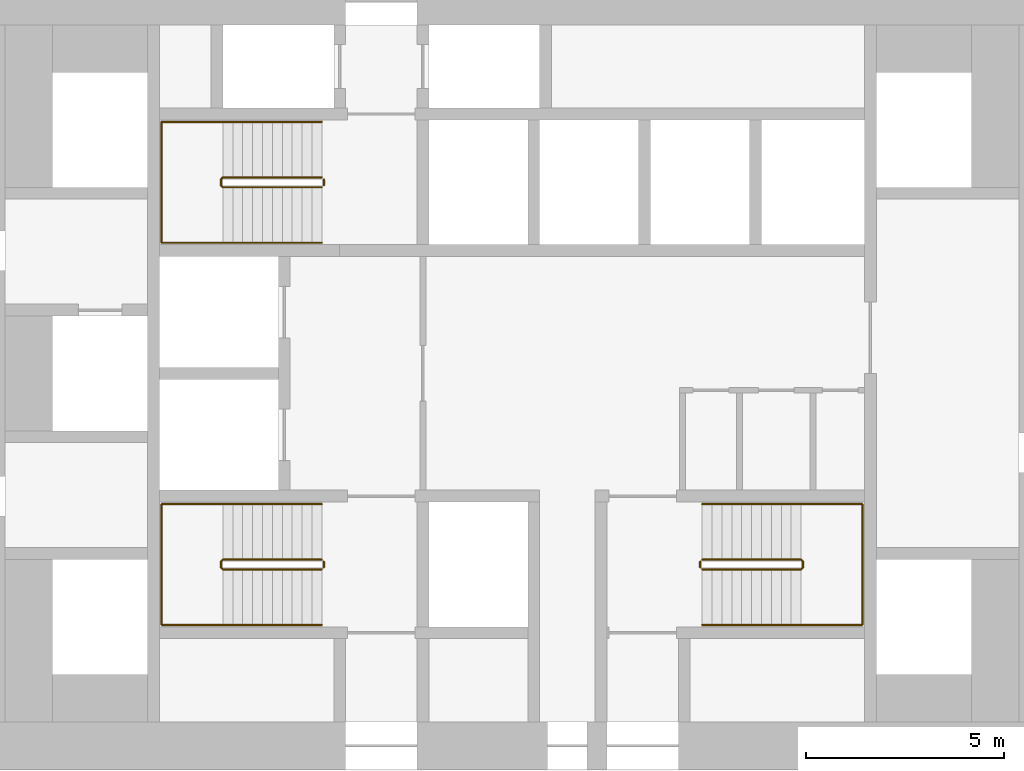
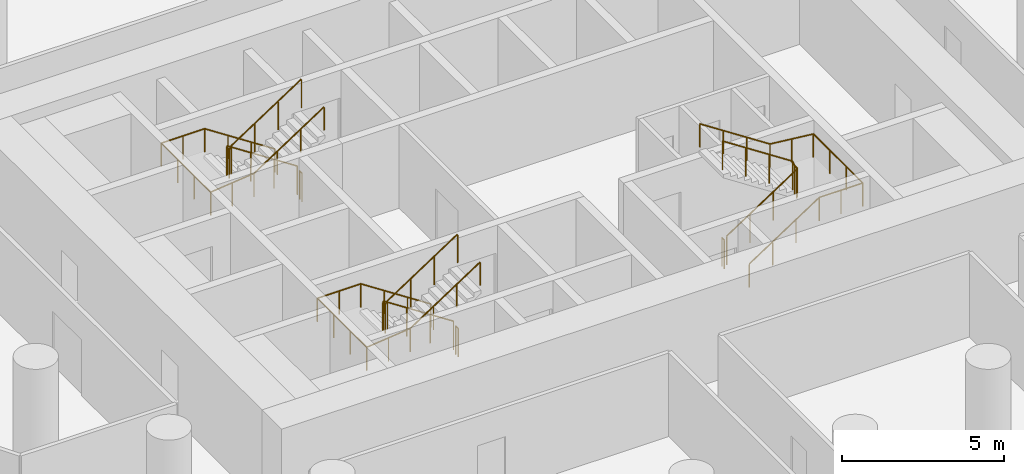
# One storey, part 12 of 12: 9 railings.
"""IFC4 building model written with IfcOpenShell, lengths in metres."""

from ifc_helpers import new_model, si_unit, direction, frame, origin, origin_2d, place, context, subcontext, project, spatial, circle, extrude, material, type_object, element, save


model = new_model("IFC4")

# Units and contexts
model_context = context("Model", 3, precision=1e-05, world=origin(), true_north=direction((0.0, 1.0)))
body_context = subcontext(model_context, "Body", "Model", "MODEL_VIEW")
ifc_project = project(units=[si_unit("LENGTHUNIT", "METRE"), si_unit("AREAUNIT", "SQUARE_METRE"), si_unit("VOLUMEUNIT", "CUBIC_METRE"), si_unit("PLANEANGLEUNIT", "RADIAN"), si_unit("MASSUNIT", "GRAM", prefix="KILO")], contexts=[model_context])

# Site, building, storey
site_placement = place(None, origin())
site = spatial("IfcSite", under=ifc_project, at=site_placement, CompositionType="ELEMENT")
building_placement = place(site_placement, origin())
building = spatial("IfcBuilding", under=site, at=building_placement, Name="Tracery Tower", CompositionType="ELEMENT")
storey_placement = place(building_placement, frame((0.0, 0.0, 107.39990234375)))
storey = spatial("IfcBuildingStorey", under=building, at=storey_placement, Name="L27", CompositionType="ELEMENT", Elevation=107.39990234375)

# Railings
ifc_material_1 = material(Name="Stainless steel and laminated glass", Category="steel")
railing_type_1 = type_object("IfcRailingType", Name="Stair guard 1100", PredefinedType="GUARDRAIL", material=ifc_material_1)
railing_1_placement = place(storey_placement, frame((-4.800048828125, -4.699951171875, 0.163818359375)))
element("IfcRailing", 1, at=railing_1_placement, inside=storey, type_object=railing_type_1, Name="L27 stair ST1 guard 1", PredefinedType="GUARDRAIL", context=body_context, shape_type="SweptSolid", body=[
    extrude(circle(Radius=0.02392578125, at=origin_2d()), frame((0.0, 0.0, 1.076171875), z_axis=(-0.836721939367, 0.0, 0.547627972425), x_axis=(0.0, -1.0, 0.0)), (0.0, 0.0, 1.0), 2.98779296875),
    extrude(circle(Radius=0.02392578125, at=origin_2d()), frame((-2.5, 0.0, 2.71240234375), z_axis=(-0.707106781187, -0.707106781187, 0.0), x_axis=(0.707106781187, -0.707106781187, 0.0)), (0.0, 0.0, 1.0), 0.07080078125),
    extrude(circle(Radius=0.02392578125, at=origin_2d()), frame((-2.550048828125, -0.050048828125, 2.71240234375), z_axis=(0.0, -1.0, 0.0), x_axis=(1.0, 0.0, 0.0)), (0.0, 0.0, 1.0), 0.14990234375),
    extrude(circle(Radius=0.02392578125, at=origin_2d()), frame((-2.550048828125, -0.199951171875, 2.71240234375), z_axis=(0.280808744504, -0.280808744504, 0.917765164963), x_axis=(0.707106781187, 0.707106781187, 0.0)), (0.0, 0.0, 1.0), 0.17822265625),
    extrude(circle(Radius=0.02392578125, at=origin_2d()), frame((-2.5, -0.25, 2.8759765625), z_axis=(0.83668449804, 0.0, 0.54768517484), x_axis=(0.0, 1.0, 0.0)), (0.0, 0.0, 1.0), 2.988037109375),
    extrude(circle(Radius=0.02099609375, at=origin_2d()), origin(), (0.0, 0.0, 1.0), 1.052001953125),
    extrude(circle(Radius=0.02099609375, at=origin_2d()), frame((-0.833251953125, 0.0, 0.54541015625)), (0.0, 0.0, 1.0), 1.052001953125),
    extrude(circle(Radius=0.02099609375, at=origin_2d()), frame((-1.666748046875, 0.0, 1.0908203125)), (0.0, 0.0, 1.0), 1.052001953125),
    extrude(circle(Radius=0.02099609375, at=origin_2d()), frame((-2.5, 0.0, 1.63623046875)), (0.0, 0.0, 1.0), 1.052001953125),
    extrude(circle(Radius=0.02099609375, at=origin_2d()), frame((-2.550048828125, -0.050048828125, 1.63623046875)), (0.0, 0.0, 1.0), 1.052001953125),
    extrude(circle(Radius=0.02099609375, at=origin_2d()), frame((-2.550048828125, -0.199951171875, 1.63623046875)), (0.0, 0.0, 1.0), 1.052001953125),
    extrude(circle(Radius=0.02099609375, at=origin_2d()), frame((-2.5, -0.25, 1.7998046875)), (0.0, 0.0, 1.0), 1.052001953125),
    extrude(circle(Radius=0.02099609375, at=origin_2d()), frame((-1.666748046875, -0.25, 2.34521484375)), (0.0, 0.0, 1.0), 1.052001953125),
    extrude(circle(Radius=0.02099609375, at=origin_2d()), frame((-0.833251953125, -0.25, 2.890869140625)), (0.0, 0.0, 1.0), 1.052001953125),
    extrude(circle(Radius=0.02099609375, at=origin_2d()), frame((0.0, -0.25, 3.436279296875)), (0.0, 0.0, 1.0), 1.052001953125),
])
railing_2_placement = place(storey_placement, frame((-4.75, -4.75, 0.0)))
element("IfcRailing", 2, at=railing_2_placement, inside=storey, type_object=railing_type_1, Name="L27 stair ST1 guard 2", PredefinedType="GUARDRAIL", context=body_context, shape_type="SweptSolid", body=[
    extrude(circle(Radius=0.02392578125, at=origin_2d()), frame((0.0, 0.0, 1.076171875), z_axis=(0.0, -1.0, 0.0), x_axis=(1.0, 0.0, 0.0)), (0.0, 0.0, 1.0), 0.14990234375),
    extrude(circle(Radius=0.02099609375, at=origin_2d()), origin(), (0.0, 0.0, 1.0), 1.052001953125),
    extrude(circle(Radius=0.02099609375, at=origin_2d()), frame((0.0, -0.14990234375, 0.0)), (0.0, 0.0, 1.0), 1.052001953125),
])
railing_3_placement = place(storey_placement, frame((-4.800048828125, 4.949951171875, 0.163818359375)))
element("IfcRailing", 3, at=railing_3_placement, inside=storey, type_object=railing_type_1, Name="L27 stair ST3 guard 1", PredefinedType="GUARDRAIL", context=body_context, shape_type="SweptSolid", body=[
    extrude(circle(Radius=0.02392578125, at=origin_2d()), frame((0.0, 0.0, 1.076171875), z_axis=(-0.836721939367, 0.0, 0.547627972425), x_axis=(0.0, -1.0, 0.0)), (0.0, 0.0, 1.0), 2.98779296875),
    extrude(circle(Radius=0.02392578125, at=origin_2d()), frame((-2.5, 0.0, 2.71240234375), z_axis=(-0.707106781187, -0.707106781187, 0.0), x_axis=(0.707106781187, -0.707106781187, 0.0)), (0.0, 0.0, 1.0), 0.07080078125),
    extrude(circle(Radius=0.02392578125, at=origin_2d()), frame((-2.550048828125, -0.050048828125, 2.71240234375), z_axis=(0.0, -1.0, 0.0), x_axis=(1.0, 0.0, 0.0)), (0.0, 0.0, 1.0), 0.14990234375),
    extrude(circle(Radius=0.02392578125, at=origin_2d()), frame((-2.550048828125, -0.199951171875, 2.71240234375), z_axis=(0.280808744504, -0.280808744504, 0.917765164963), x_axis=(0.707106781187, 0.707106781187, 0.0)), (0.0, 0.0, 1.0), 0.17822265625),
    extrude(circle(Radius=0.02392578125, at=origin_2d()), frame((-2.5, -0.25, 2.8759765625), z_axis=(0.83668449804, 0.0, 0.54768517484), x_axis=(0.0, 1.0, 0.0)), (0.0, 0.0, 1.0), 2.988037109375),
    extrude(circle(Radius=0.02099609375, at=origin_2d()), origin(), (0.0, 0.0, 1.0), 1.052001953125),
    extrude(circle(Radius=0.02099609375, at=origin_2d()), frame((-0.833251953125, 0.0, 0.54541015625)), (0.0, 0.0, 1.0), 1.052001953125),
    extrude(circle(Radius=0.02099609375, at=origin_2d()), frame((-1.666748046875, 0.0, 1.0908203125)), (0.0, 0.0, 1.0), 1.052001953125),
    extrude(circle(Radius=0.02099609375, at=origin_2d()), frame((-2.5, 0.0, 1.63623046875)), (0.0, 0.0, 1.0), 1.052001953125),
    extrude(circle(Radius=0.02099609375, at=origin_2d()), frame((-2.550048828125, -0.050048828125, 1.63623046875)), (0.0, 0.0, 1.0), 1.052001953125),
    extrude(circle(Radius=0.02099609375, at=origin_2d()), frame((-2.550048828125, -0.199951171875, 1.63623046875)), (0.0, 0.0, 1.0), 1.052001953125),
    extrude(circle(Radius=0.02099609375, at=origin_2d()), frame((-2.5, -0.25, 1.7998046875)), (0.0, 0.0, 1.0), 1.052001953125),
    extrude(circle(Radius=0.02099609375, at=origin_2d()), frame((-1.666748046875, -0.25, 2.34521484375)), (0.0, 0.0, 1.0), 1.052001953125),
    extrude(circle(Radius=0.02099609375, at=origin_2d()), frame((-0.833251953125, -0.25, 2.890869140625)), (0.0, 0.0, 1.0), 1.052001953125),
    extrude(circle(Radius=0.02099609375, at=origin_2d()), frame((0.0, -0.25, 3.436279296875)), (0.0, 0.0, 1.0), 1.052001953125),
])
railing_4_placement = place(storey_placement, frame((-4.75, 4.89990234375, 0.0)))
element("IfcRailing", 4, at=railing_4_placement, inside=storey, type_object=railing_type_1, Name="L27 stair ST3 guard 2", PredefinedType="GUARDRAIL", context=body_context, shape_type="SweptSolid", body=[
    extrude(circle(Radius=0.02392578125, at=origin_2d()), frame((0.0, 0.0, 1.076171875), z_axis=(0.0, -1.0, 0.0), x_axis=(1.0, 0.0, 0.0)), (0.0, 0.0, 1.0), 0.14990234375),
    extrude(circle(Radius=0.02099609375, at=origin_2d()), origin(), (0.0, 0.0, 1.0), 1.052001953125),
    extrude(circle(Radius=0.02099609375, at=origin_2d()), frame((0.0, -0.14990234375, 0.0)), (0.0, 0.0, 1.0), 1.052001953125),
])
railing_5_placement = place(storey_placement, frame((4.800048828125, -4.949951171875, 0.163818359375)))
element("IfcRailing", 5, at=railing_5_placement, inside=storey, type_object=railing_type_1, Name="L27 stair ST2 guard 1", PredefinedType="GUARDRAIL", context=body_context, shape_type="SweptSolid", body=[
    extrude(circle(Radius=0.02392578125, at=origin_2d()), frame((0.0, 0.0, 1.076171875), z_axis=(0.836721939367, 0.0, 0.547627972425), x_axis=(0.0, 1.0, 0.0)), (0.0, 0.0, 1.0), 2.98779296875),
    extrude(circle(Radius=0.02392578125, at=origin_2d()), frame((2.5, 0.0, 2.71240234375), z_axis=(0.707106781187, 0.707106781187, 0.0), x_axis=(-0.707106781187, 0.707106781187, 0.0)), (0.0, 0.0, 1.0), 0.07080078125),
    extrude(circle(Radius=0.02392578125, at=origin_2d()), frame((2.550048828125, 0.050048828125, 2.71240234375), z_axis=(0.0, 1.0, 0.0), x_axis=(-1.0, 0.0, 0.0)), (0.0, 0.0, 1.0), 0.14990234375),
    extrude(circle(Radius=0.02392578125, at=origin_2d()), frame((2.550048828125, 0.199951171875, 2.71240234375), z_axis=(-0.280808744504, 0.280808744504, 0.917765164963), x_axis=(-0.707106781187, -0.707106781187, 0.0)), (0.0, 0.0, 1.0), 0.17822265625),
    extrude(circle(Radius=0.02392578125, at=origin_2d()), frame((2.5, 0.25, 2.8759765625), z_axis=(-0.83668449804, 0.0, 0.54768517484), x_axis=(0.0, -1.0, 0.0)), (0.0, 0.0, 1.0), 2.988037109375),
    extrude(circle(Radius=0.02099609375, at=origin_2d()), origin(), (0.0, 0.0, 1.0), 1.052001953125),
    extrude(circle(Radius=0.02099609375, at=origin_2d()), frame((0.833251953125, 0.0, 0.54541015625)), (0.0, 0.0, 1.0), 1.052001953125),
    extrude(circle(Radius=0.02099609375, at=origin_2d()), frame((1.666748046875, 0.0, 1.0908203125)), (0.0, 0.0, 1.0), 1.052001953125),
    extrude(circle(Radius=0.02099609375, at=origin_2d()), frame((2.5, 0.0, 1.63623046875)), (0.0, 0.0, 1.0), 1.052001953125),
    extrude(circle(Radius=0.02099609375, at=origin_2d()), frame((2.550048828125, 0.050048828125, 1.63623046875)), (0.0, 0.0, 1.0), 1.052001953125),
    extrude(circle(Radius=0.02099609375, at=origin_2d()), frame((2.550048828125, 0.199951171875, 1.63623046875)), (0.0, 0.0, 1.0), 1.052001953125),
    extrude(circle(Radius=0.02099609375, at=origin_2d()), frame((2.5, 0.25, 1.7998046875)), (0.0, 0.0, 1.0), 1.052001953125),
    extrude(circle(Radius=0.02099609375, at=origin_2d()), frame((1.666748046875, 0.25, 2.34521484375)), (0.0, 0.0, 1.0), 1.052001953125),
    extrude(circle(Radius=0.02099609375, at=origin_2d()), frame((0.833251953125, 0.25, 2.890869140625)), (0.0, 0.0, 1.0), 1.052001953125),
    extrude(circle(Radius=0.02099609375, at=origin_2d()), frame((0.0, 0.25, 3.436279296875)), (0.0, 0.0, 1.0), 1.052001953125),
])
railing_6_placement = place(storey_placement, frame((4.75, -4.89990234375, 0.0)))
element("IfcRailing", 6, at=railing_6_placement, inside=storey, type_object=railing_type_1, Name="L27 stair ST2 guard 2", PredefinedType="GUARDRAIL", context=body_context, shape_type="SweptSolid", body=[
    extrude(circle(Radius=0.02392578125, at=origin_2d()), frame((0.0, 0.0, 1.076171875), z_axis=(0.0, 1.0, 0.0), x_axis=(-1.0, 0.0, 0.0)), (0.0, 0.0, 1.0), 0.14990234375),
    extrude(circle(Radius=0.02099609375, at=origin_2d()), origin(), (0.0, 0.0, 1.0), 1.052001953125),
    extrude(circle(Radius=0.02099609375, at=origin_2d()), frame((0.0, 0.14990234375, 0.0)), (0.0, 0.0, 1.0), 1.052001953125),
])
ifc_material_2 = material(Name="Stainless steel and laminated glass", Category="steel")
railing_type_2 = type_object("IfcRailingType", Name="Stair handrail 900", PredefinedType="HANDRAIL", material=ifc_material_2)
railing_7_placement = place(storey_placement, frame((-4.800048828125, -3.300048828125, 0.163818359375)))
element("IfcRailing", 7, at=railing_7_placement, inside=storey, type_object=railing_type_2, Name="L27 stair ST1 handrail 1", PredefinedType="HANDRAIL", context=body_context, shape_type="SweptSolid", body=[
    extrude(circle(Radius=0.02392578125, at=origin_2d()), frame((0.0, 0.0, 0.8759765625), z_axis=(-0.836721939367, 0.0, 0.547627972425), x_axis=(0.0, -1.0, 0.0)), (0.0, 0.0, 1.0), 2.98779296875),
    extrude(circle(Radius=0.02392578125, at=origin_2d()), frame((-2.5, 0.0, 2.51220703125), z_axis=(-1.0, 0.0, 0.0), x_axis=(0.0, -1.0, 0.0)), (0.0, 0.0, 1.0), 1.550048828125),
    extrude(circle(Radius=0.02392578125, at=origin_2d()), frame((-4.050048828125, 0.0, 2.51220703125), z_axis=(0.0, -1.0, 0.0), x_axis=(1.0, 0.0, 0.0)), (0.0, 0.0, 1.0), 3.050048828125),
    extrude(circle(Radius=0.02392578125, at=origin_2d()), frame((-4.050048828125, -3.050048828125, 2.51220703125), z_axis=(0.994477953863, 0.0, 0.104945696817), x_axis=(0.0, 1.0, 0.0)), (0.0, 0.0, 1.0), 1.55859375),
    extrude(circle(Radius=0.02392578125, at=origin_2d()), frame((-2.5, -3.050048828125, 2.67578125), z_axis=(0.83668449804, 0.0, 0.54768517484), x_axis=(0.0, 1.0, 0.0)), (0.0, 0.0, 1.0), 2.988037109375),
    extrude(circle(Radius=0.02099609375, at=origin_2d()), origin(), (0.0, 0.0, 1.0), 0.851806640625),
    extrude(circle(Radius=0.02099609375, at=origin_2d()), frame((-0.833251953125, 0.0, 0.54541015625)), (0.0, 0.0, 1.0), 0.851806640625),
    extrude(circle(Radius=0.02099609375, at=origin_2d()), frame((-1.666748046875, 0.0, 1.0908203125)), (0.0, 0.0, 1.0), 0.851806640625),
    extrude(circle(Radius=0.02099609375, at=origin_2d()), frame((-2.5, 0.0, 1.63623046875)), (0.0, 0.0, 1.0), 0.851806640625),
    extrude(circle(Radius=0.02099609375, at=origin_2d()), frame((-3.27490234375, 0.0, 1.63623046875)), (0.0, 0.0, 1.0), 0.851806640625),
    extrude(circle(Radius=0.02099609375, at=origin_2d()), frame((-4.050048828125, 0.0, 1.63623046875)), (0.0, 0.0, 1.0), 0.851806640625),
    extrude(circle(Radius=0.02099609375, at=origin_2d()), frame((-4.050048828125, -1.0166015625, 1.63623046875)), (0.0, 0.0, 1.0), 0.851806640625),
    extrude(circle(Radius=0.02099609375, at=origin_2d()), frame((-4.050048828125, -2.033447265625, 1.63623046875)), (0.0, 0.0, 1.0), 0.851806640625),
    extrude(circle(Radius=0.02099609375, at=origin_2d()), frame((-4.050048828125, -3.050048828125, 1.63623046875)), (0.0, 0.0, 1.0), 0.851806640625),
    extrude(circle(Radius=0.02099609375, at=origin_2d()), frame((-3.27490234375, -3.050048828125, 1.718017578125)), (0.0, 0.0, 1.0), 0.851806640625),
    extrude(circle(Radius=0.02099609375, at=origin_2d()), frame((-2.5, -3.050048828125, 1.7998046875)), (0.0, 0.0, 1.0), 0.851806640625),
    extrude(circle(Radius=0.02099609375, at=origin_2d()), frame((-1.666748046875, -3.050048828125, 2.34521484375)), (0.0, 0.0, 1.0), 0.851806640625),
    extrude(circle(Radius=0.02099609375, at=origin_2d()), frame((-0.833251953125, -3.050048828125, 2.890869140625)), (0.0, 0.0, 1.0), 0.851806640625),
    extrude(circle(Radius=0.02099609375, at=origin_2d()), frame((0.0, -3.050048828125, 3.436279296875)), (0.0, 0.0, 1.0), 0.851806640625),
])
railing_8_placement = place(storey_placement, frame((-4.800048828125, 6.35009765625, 0.163818359375)))
element("IfcRailing", 8, at=railing_8_placement, inside=storey, type_object=railing_type_2, Name="L27 stair ST3 handrail 1", PredefinedType="HANDRAIL", context=body_context, shape_type="SweptSolid", body=[
    extrude(circle(Radius=0.02392578125, at=origin_2d()), frame((0.0, 0.0, 0.8759765625), z_axis=(-0.836721939367, 0.0, 0.547627972425), x_axis=(0.0, -1.0, 0.0)), (0.0, 0.0, 1.0), 2.98779296875),
    extrude(circle(Radius=0.02392578125, at=origin_2d()), frame((-2.5, 0.0, 2.51220703125), z_axis=(-1.0, 0.0, 0.0), x_axis=(0.0, -1.0, 0.0)), (0.0, 0.0, 1.0), 1.550048828125),
    extrude(circle(Radius=0.02392578125, at=origin_2d()), frame((-4.050048828125, 0.0, 2.51220703125), z_axis=(0.0, -1.0, 0.0), x_axis=(1.0, 0.0, 0.0)), (0.0, 0.0, 1.0), 3.050048828125),
    extrude(circle(Radius=0.02392578125, at=origin_2d()), frame((-4.050048828125, -3.050048828125, 2.51220703125), z_axis=(0.994477953863, 0.0, 0.104945696817), x_axis=(0.0, 1.0, 0.0)), (0.0, 0.0, 1.0), 1.55859375),
    extrude(circle(Radius=0.02392578125, at=origin_2d()), frame((-2.5, -3.050048828125, 2.67578125), z_axis=(0.83668449804, 0.0, 0.54768517484), x_axis=(0.0, 1.0, 0.0)), (0.0, 0.0, 1.0), 2.988037109375),
    extrude(circle(Radius=0.02099609375, at=origin_2d()), origin(), (0.0, 0.0, 1.0), 0.851806640625),
    extrude(circle(Radius=0.02099609375, at=origin_2d()), frame((-0.833251953125, 0.0, 0.54541015625)), (0.0, 0.0, 1.0), 0.851806640625),
    extrude(circle(Radius=0.02099609375, at=origin_2d()), frame((-1.666748046875, 0.0, 1.0908203125)), (0.0, 0.0, 1.0), 0.851806640625),
    extrude(circle(Radius=0.02099609375, at=origin_2d()), frame((-2.5, 0.0, 1.63623046875)), (0.0, 0.0, 1.0), 0.851806640625),
    extrude(circle(Radius=0.02099609375, at=origin_2d()), frame((-3.27490234375, 0.0, 1.63623046875)), (0.0, 0.0, 1.0), 0.851806640625),
    extrude(circle(Radius=0.02099609375, at=origin_2d()), frame((-4.050048828125, 0.0, 1.63623046875)), (0.0, 0.0, 1.0), 0.851806640625),
    extrude(circle(Radius=0.02099609375, at=origin_2d()), frame((-4.050048828125, -1.0166015625, 1.63623046875)), (0.0, 0.0, 1.0), 0.851806640625),
    extrude(circle(Radius=0.02099609375, at=origin_2d()), frame((-4.050048828125, -2.033447265625, 1.63623046875)), (0.0, 0.0, 1.0), 0.851806640625),
    extrude(circle(Radius=0.02099609375, at=origin_2d()), frame((-4.050048828125, -3.050048828125, 1.63623046875)), (0.0, 0.0, 1.0), 0.851806640625),
    extrude(circle(Radius=0.02099609375, at=origin_2d()), frame((-3.27490234375, -3.050048828125, 1.718017578125)), (0.0, 0.0, 1.0), 0.851806640625),
    extrude(circle(Radius=0.02099609375, at=origin_2d()), frame((-2.5, -3.050048828125, 1.7998046875)), (0.0, 0.0, 1.0), 0.851806640625),
    extrude(circle(Radius=0.02099609375, at=origin_2d()), frame((-1.666748046875, -3.050048828125, 2.34521484375)), (0.0, 0.0, 1.0), 0.851806640625),
    extrude(circle(Radius=0.02099609375, at=origin_2d()), frame((-0.833251953125, -3.050048828125, 2.890869140625)), (0.0, 0.0, 1.0), 0.851806640625),
    extrude(circle(Radius=0.02099609375, at=origin_2d()), frame((0.0, -3.050048828125, 3.436279296875)), (0.0, 0.0, 1.0), 0.851806640625),
])
railing_9_placement = place(storey_placement, frame((4.800048828125, -6.35009765625, 0.163818359375)))
element("IfcRailing", 9, at=railing_9_placement, inside=storey, type_object=railing_type_2, Name="L27 stair ST2 handrail 1", PredefinedType="HANDRAIL", context=body_context, shape_type="SweptSolid", body=[
    extrude(circle(Radius=0.02392578125, at=origin_2d()), frame((0.0, 0.0, 0.8759765625), z_axis=(0.836721939367, 0.0, 0.547627972425), x_axis=(0.0, 1.0, 0.0)), (0.0, 0.0, 1.0), 2.98779296875),
    extrude(circle(Radius=0.02392578125, at=origin_2d()), frame((2.5, 0.0, 2.51220703125), z_axis=(1.0, 0.0, 0.0), x_axis=(0.0, 1.0, 0.0)), (0.0, 0.0, 1.0), 1.550048828125),
    extrude(circle(Radius=0.02392578125, at=origin_2d()), frame((4.050048828125, 0.0, 2.51220703125), z_axis=(0.0, 1.0, 0.0), x_axis=(-1.0, 0.0, 0.0)), (0.0, 0.0, 1.0), 3.050048828125),
    extrude(circle(Radius=0.02392578125, at=origin_2d()), frame((4.050048828125, 3.050048828125, 2.51220703125), z_axis=(-0.994477953863, 0.0, 0.104945696817), x_axis=(0.0, -1.0, 0.0)), (0.0, 0.0, 1.0), 1.55859375),
    extrude(circle(Radius=0.02392578125, at=origin_2d()), frame((2.5, 3.050048828125, 2.67578125), z_axis=(-0.83668449804, 0.0, 0.54768517484), x_axis=(0.0, -1.0, 0.0)), (0.0, 0.0, 1.0), 2.988037109375),
    extrude(circle(Radius=0.02099609375, at=origin_2d()), origin(), (0.0, 0.0, 1.0), 0.851806640625),
    extrude(circle(Radius=0.02099609375, at=origin_2d()), frame((0.833251953125, 0.0, 0.54541015625)), (0.0, 0.0, 1.0), 0.851806640625),
    extrude(circle(Radius=0.02099609375, at=origin_2d()), frame((1.666748046875, 0.0, 1.0908203125)), (0.0, 0.0, 1.0), 0.851806640625),
    extrude(circle(Radius=0.02099609375, at=origin_2d()), frame((2.5, 0.0, 1.63623046875)), (0.0, 0.0, 1.0), 0.851806640625),
    extrude(circle(Radius=0.02099609375, at=origin_2d()), frame((3.27490234375, 0.0, 1.63623046875)), (0.0, 0.0, 1.0), 0.851806640625),
    extrude(circle(Radius=0.02099609375, at=origin_2d()), frame((4.050048828125, 0.0, 1.63623046875)), (0.0, 0.0, 1.0), 0.851806640625),
    extrude(circle(Radius=0.02099609375, at=origin_2d()), frame((4.050048828125, 1.0166015625, 1.63623046875)), (0.0, 0.0, 1.0), 0.851806640625),
    extrude(circle(Radius=0.02099609375, at=origin_2d()), frame((4.050048828125, 2.033447265625, 1.63623046875)), (0.0, 0.0, 1.0), 0.851806640625),
    extrude(circle(Radius=0.02099609375, at=origin_2d()), frame((4.050048828125, 3.050048828125, 1.63623046875)), (0.0, 0.0, 1.0), 0.851806640625),
    extrude(circle(Radius=0.02099609375, at=origin_2d()), frame((3.27490234375, 3.050048828125, 1.718017578125)), (0.0, 0.0, 1.0), 0.851806640625),
    extrude(circle(Radius=0.02099609375, at=origin_2d()), frame((2.5, 3.050048828125, 1.7998046875)), (0.0, 0.0, 1.0), 0.851806640625),
    extrude(circle(Radius=0.02099609375, at=origin_2d()), frame((1.666748046875, 3.050048828125, 2.34521484375)), (0.0, 0.0, 1.0), 0.851806640625),
    extrude(circle(Radius=0.02099609375, at=origin_2d()), frame((0.833251953125, 3.050048828125, 2.890869140625)), (0.0, 0.0, 1.0), 0.851806640625),
    extrude(circle(Radius=0.02099609375, at=origin_2d()), frame((0.0, 3.050048828125, 3.436279296875)), (0.0, 0.0, 1.0), 0.851806640625),
])

save(model, "model.ifc")
